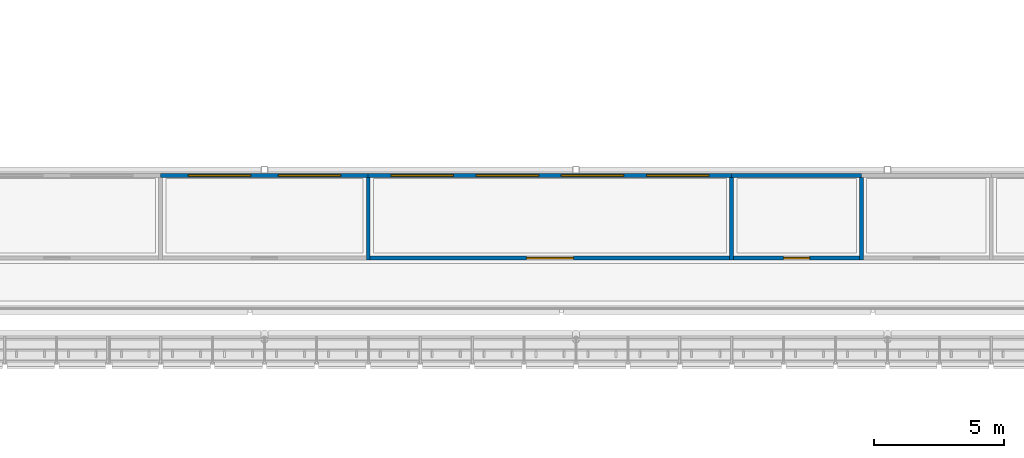
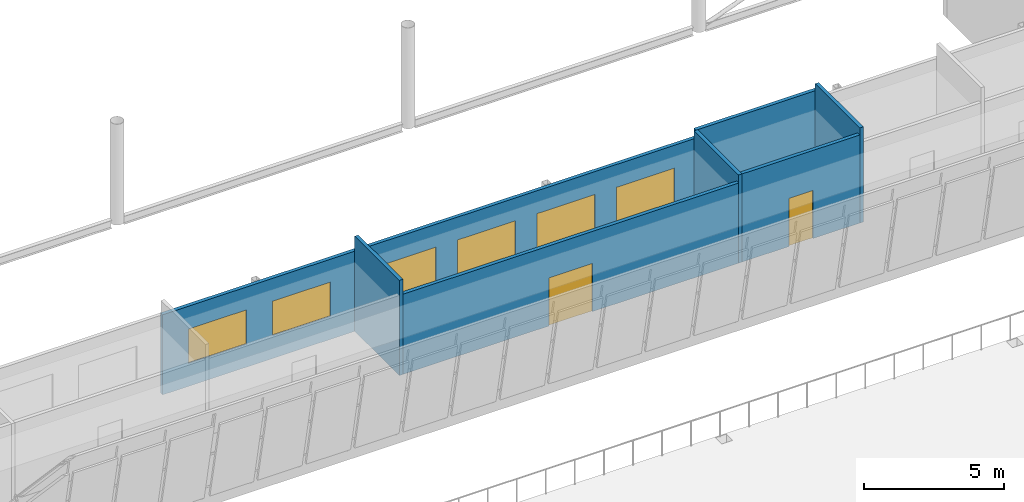
# One storey, part 50 of 95: 8 walls, 6 windows, 2 doors, 8 openings.
"""IFC4 building model written with IfcOpenShell, lengths in metres."""

from ifc_helpers import new_model, si_unit, direction, frame, frame_2d, origin, place, context, subcontext, project, spatial, rectangle, extrude, material, layer, layer_set, type_object, element, fill, save


model = new_model("IFC4")

# Units and contexts
model_context = context("Model", 3, precision=1e-05, world=origin(), true_north=direction((0.0, 1.0)))
body_context = subcontext(model_context, "Body", "Model", "MODEL_VIEW")
ifc_project = project(units=[si_unit("LENGTHUNIT", "METRE"), si_unit("AREAUNIT", "SQUARE_METRE"), si_unit("VOLUMEUNIT", "CUBIC_METRE"), si_unit("PLANEANGLEUNIT", "RADIAN"), si_unit("MASSUNIT", "GRAM", prefix="KILO")], contexts=[model_context])

# Site, building, storey
site_placement = place(None, origin())
site = spatial("IfcSite", under=ifc_project, at=site_placement, CompositionType="ELEMENT")
building_placement = place(site_placement, origin())
building = spatial("IfcBuilding", under=site, at=building_placement, Name="Windward Yard Aquatics Centre", CompositionType="ELEMENT")
storey_placement = place(building_placement, frame((0.0, 0.0, 9.39990234375)))
storey = spatial("IfcBuildingStorey", under=building, at=storey_placement, Name="L02", CompositionType="ELEMENT", Elevation=9.39990234375)

# Wall
ifc_material_1 = material(Name="Blockwork 150 mm", Category="masonry")
ifc_layer = layer(ifc_material_1, 0.14990234375)
ifc_layer_set = layer_set([ifc_layer], Name="H Partition Blockwork 150")
wall_type = type_object("IfcWallType", Name="H Partition Blockwork 150", PredefinedType="PARTITIONING", material=ifc_layer_set)
wall_1_placement = place(storey_placement, frame((112.0, 31.40966796875, 0.0), z_axis=(0.0, 0.0, 1.0), x_axis=(0.0, -1.0, 0.0)))
element("IfcWall", 1, at=wall_1_placement, inside=storey, type_object=wall_type, Name="L02 partition Scoreboard and Control Room", PredefinedType="PARTITIONING", context=body_context, shape_type="SweptSolid", body=[
    extrude(rectangle(XDim=3.1845703125, YDim=0.14990234375, at=frame_2d((1.59228515625, 0.0))), origin(), (0.0, 0.0, 1.0), 4.150146484375),
])

# Wall, openings, windows
wall_2_placement = place(storey_placement, frame((104.0, 31.484619140625, 0.0), z_axis=(0.0, 0.0, 1.0), x_axis=(1.0, 0.0, 0.0)))
wall_2 = element("IfcWall", 2, at=wall_2_placement, inside=storey, type_object=wall_type, Name="L02 wall Scoreboard and Control Room", PredefinedType="PARTITIONING", context=body_context, shape_type="SweptSolid", body=[
    extrude(rectangle(XDim=8.0, YDim=0.14990234375, at=frame_2d((4.0, 0.0))), origin(), (0.0, 0.0, 1.0), 3.49609375),
])
opening_1_placement = place(wall_2_placement, frame((1.066650390625, 0.0, 1.0)))
opening_1 = element("IfcOpeningElement", 3, at=opening_1_placement, cuts=wall_2, Name="Opening W2061", PredefinedType="OPENING", context=body_context, shape_type="SweptSolid", body=[
    extrude(rectangle(XDim=2.39990234375, YDim=1.5, at=frame_2d((1.199951171875, 0.75))), frame((0.0, 0.0849609375, 0.0), z_axis=(0.0, -1.0, 0.0), x_axis=(1.0, 0.0, 0.0)), (0.0, 0.0, 1.0), 0.169921875),
])
opening_2_placement = place(wall_2_placement, frame((4.533203125, 0.0, 1.0)))
opening_2 = element("IfcOpeningElement", 4, at=opening_2_placement, cuts=wall_2, Name="Opening W2062", PredefinedType="OPENING", context=body_context, shape_type="SweptSolid", body=[
    extrude(rectangle(XDim=2.39990234375, YDim=1.5, at=frame_2d((1.199951171875, 0.75))), frame((0.0, 0.0849609375, 0.0), z_axis=(0.0, -1.0, 0.0), x_axis=(1.0, 0.0, 0.0)), (0.0, 0.0, 1.0), 0.169921875),
])
ifc_material_2 = material(Name="Laminated glass in aluminium frame", Category="aluminium")
window_type = type_object("IfcWindowType", Name="H Gallery Window 2400 x 1500", PartitioningType="SINGLE_PANEL", PredefinedType="WINDOW", material=ifc_material_2)
window_1_placement = place(opening_1_placement, origin())
window_1 = element("IfcWindow", 5, at=window_1_placement, inside=storey, type_object=window_type, Name="L02 Scoreboard and Control Room viewing window", OverallHeight=1.5, OverallWidth=2.39990234375, PartitioningType="SINGLE_PANEL", PredefinedType="WINDOW", context=body_context, shape_type="SweptSolid", body=[
    extrude(rectangle(XDim=2.39990234375, YDim=1.5, at=frame_2d((1.199951171875, 0.75))), frame((0.0, 0.030029296875, 0.0), z_axis=(0.0, -1.0, 0.0), x_axis=(1.0, 0.0, 0.0)), (0.0, 0.0, 1.0), 0.06005859375),
])
fill(opening_1, window_1)
window_2_placement = place(opening_2_placement, origin())
window_2 = element("IfcWindow", 6, at=window_2_placement, inside=storey, type_object=window_type, Name="L02 Scoreboard and Control Room viewing window", OverallHeight=1.5, OverallWidth=2.39990234375, PartitioningType="SINGLE_PANEL", PredefinedType="WINDOW", context=body_context, shape_type="SweptSolid", body=[
    extrude(rectangle(XDim=2.39990234375, YDim=1.5, at=frame_2d((1.199951171875, 0.75))), frame((0.0, 0.030029296875, 0.0), z_axis=(0.0, -1.0, 0.0), x_axis=(1.0, 0.0, 0.0)), (0.0, 0.0, 1.0), 0.06005859375),
])
fill(opening_2, window_2)

# Wall, opening, door
wall_3_placement = place(storey_placement, frame((112.074951171875, 28.300048828125, 0.0), z_axis=(0.0, 0.0, 1.0), x_axis=(1.0, 0.0, 0.0)))
wall_3 = element("IfcWall", 7, at=wall_3_placement, inside=storey, type_object=wall_type, Name="L02 partition VIP Suite", PredefinedType="PARTITIONING", context=body_context, shape_type="SweptSolid", body=[
    extrude(rectangle(XDim=13.85009765625, YDim=0.14990234375, at=frame_2d((6.925048828125, 0.0))), origin(), (0.0, 0.0, 1.0), 3.49609375),
])
opening_3_placement = place(wall_3_placement, frame((6.02490234375, 0.0, 0.0)))
opening_3 = element("IfcOpeningElement", 8, at=opening_3_placement, cuts=wall_3, Name="Opening H2025", PredefinedType="OPENING", context=body_context, shape_type="SweptSolid", body=[
    extrude(rectangle(XDim=1.800048828125, YDim=2.10009765625, at=frame_2d((0.89990234375, 1.050048828125))), frame((0.0, 0.0849609375, 0.0), z_axis=(0.0, -1.0, 0.0), x_axis=(1.0, 0.0, 0.0)), (0.0, 0.0, 1.0), 0.169921875),
])
ifc_material_3 = material(Name="Steel and timber door leaf", Category="steel")
door_type_1 = type_object("IfcDoorType", Name="H Door Double 1800 x 2100 FD30S", OperationType="DOUBLE_DOOR_SINGLE_SWING", PredefinedType="DOOR", material=ifc_material_3)
door_1_placement = place(opening_3_placement, origin())
door_1 = element("IfcDoor", 9, at=door_1_placement, inside=storey, type_object=door_type_1, Name="L02 VIP Suite door", OperationType="DOUBLE_DOOR_SINGLE_SWING", OverallHeight=2.10009765625, OverallWidth=1.800048828125, PredefinedType="DOOR", context=body_context, shape_type="SweptSolid", body=[
    extrude(rectangle(XDim=1.800048828125, YDim=2.10009765625, at=frame_2d((0.89990234375, 1.050048828125))), frame((0.0, 0.02490234375, 0.0), z_axis=(0.0, -1.0, 0.0), x_axis=(1.0, 0.0, 0.0)), (0.0, 0.0, 1.0), 0.050048828125),
])
fill(opening_3, door_1)

# Wall
wall_4_placement = place(storey_placement, frame((126.0, 31.40966796875, 0.0), z_axis=(0.0, 0.0, 1.0), x_axis=(0.0, -1.0, 0.0)))
element("IfcWall", 10, at=wall_4_placement, inside=storey, type_object=wall_type, Name="L02 partition VIP Suite", PredefinedType="PARTITIONING", context=body_context, shape_type="SweptSolid", body=[
    extrude(rectangle(XDim=3.1845703125, YDim=0.14990234375, at=frame_2d((1.59228515625, 0.0))), origin(), (0.0, 0.0, 1.0), 3.843994140625),
])

# Wall, openings, windows
wall_5_placement = place(storey_placement, frame((112.0, 31.484619140625, 0.0), z_axis=(0.0, 0.0, 1.0), x_axis=(1.0, 0.0, 0.0)))
wall_5 = element("IfcWall", 11, at=wall_5_placement, inside=storey, type_object=wall_type, Name="L02 wall VIP Suite", PredefinedType="PARTITIONING", context=body_context, shape_type="SweptSolid", body=[
    extrude(rectangle(XDim=14.0, YDim=0.14990234375, at=frame_2d((7.0, 0.0))), origin(), (0.0, 0.0, 1.0), 3.49609375),
])
opening_4_placement = place(wall_5_placement, frame((0.8798828125, 0.0, 1.0)))
opening_4 = element("IfcOpeningElement", 12, at=opening_4_placement, cuts=wall_5, Name="Opening W2063", PredefinedType="OPENING", context=body_context, shape_type="SweptSolid", body=[
    extrude(rectangle(XDim=2.39990234375, YDim=1.5, at=frame_2d((1.199951171875, 0.75))), frame((0.0, 0.0849609375, 0.0), z_axis=(0.0, -1.0, 0.0), x_axis=(1.0, 0.0, 0.0)), (0.0, 0.0, 1.0), 0.169921875),
])
opening_5_placement = place(wall_5_placement, frame((4.159912109375, 0.0, 1.0)))
opening_5 = element("IfcOpeningElement", 13, at=opening_5_placement, cuts=wall_5, Name="Opening W2064", PredefinedType="OPENING", context=body_context, shape_type="SweptSolid", body=[
    extrude(rectangle(XDim=2.39990234375, YDim=1.5, at=frame_2d((1.199951171875, 0.75))), frame((0.0, 0.0849609375, 0.0), z_axis=(0.0, -1.0, 0.0), x_axis=(1.0, 0.0, 0.0)), (0.0, 0.0, 1.0), 0.169921875),
])
opening_6_placement = place(wall_5_placement, frame((7.43994140625, 0.0, 1.0)))
opening_6 = element("IfcOpeningElement", 14, at=opening_6_placement, cuts=wall_5, Name="Opening W2065", PredefinedType="OPENING", context=body_context, shape_type="SweptSolid", body=[
    extrude(rectangle(XDim=2.39990234375, YDim=1.5, at=frame_2d((1.199951171875, 0.75))), frame((0.0, 0.0849609375, 0.0), z_axis=(0.0, -1.0, 0.0), x_axis=(1.0, 0.0, 0.0)), (0.0, 0.0, 1.0), 0.169921875),
])
opening_7_placement = place(wall_5_placement, frame((10.719970703125, 0.0, 1.0)))
opening_7 = element("IfcOpeningElement", 15, at=opening_7_placement, cuts=wall_5, Name="Opening W2066", PredefinedType="OPENING", context=body_context, shape_type="SweptSolid", body=[
    extrude(rectangle(XDim=2.39990234375, YDim=1.5, at=frame_2d((1.199951171875, 0.75))), frame((0.0, 0.0849609375, 0.0), z_axis=(0.0, -1.0, 0.0), x_axis=(1.0, 0.0, 0.0)), (0.0, 0.0, 1.0), 0.169921875),
])
window_3_placement = place(opening_4_placement, origin())
window_3 = element("IfcWindow", 16, at=window_3_placement, inside=storey, type_object=window_type, Name="L02 VIP Suite viewing window", OverallHeight=1.5, OverallWidth=2.39990234375, PartitioningType="SINGLE_PANEL", PredefinedType="WINDOW", context=body_context, shape_type="SweptSolid", body=[
    extrude(rectangle(XDim=2.39990234375, YDim=1.5, at=frame_2d((1.199951171875, 0.75))), frame((0.0, 0.030029296875, 0.0), z_axis=(0.0, -1.0, 0.0), x_axis=(1.0, 0.0, 0.0)), (0.0, 0.0, 1.0), 0.06005859375),
])
fill(opening_4, window_3)
window_4_placement = place(opening_5_placement, origin())
window_4 = element("IfcWindow", 17, at=window_4_placement, inside=storey, type_object=window_type, Name="L02 VIP Suite viewing window", OverallHeight=1.5, OverallWidth=2.39990234375, PartitioningType="SINGLE_PANEL", PredefinedType="WINDOW", context=body_context, shape_type="SweptSolid", body=[
    extrude(rectangle(XDim=2.39990234375, YDim=1.5, at=frame_2d((1.199951171875, 0.75))), frame((0.0, 0.030029296875, 0.0), z_axis=(0.0, -1.0, 0.0), x_axis=(1.0, 0.0, 0.0)), (0.0, 0.0, 1.0), 0.06005859375),
])
fill(opening_5, window_4)
window_5_placement = place(opening_6_placement, origin())
window_5 = element("IfcWindow", 18, at=window_5_placement, inside=storey, type_object=window_type, Name="L02 VIP Suite viewing window", OverallHeight=1.5, OverallWidth=2.39990234375, PartitioningType="SINGLE_PANEL", PredefinedType="WINDOW", context=body_context, shape_type="SweptSolid", body=[
    extrude(rectangle(XDim=2.39990234375, YDim=1.5, at=frame_2d((1.199951171875, 0.75))), frame((0.0, 0.030029296875, 0.0), z_axis=(0.0, -1.0, 0.0), x_axis=(1.0, 0.0, 0.0)), (0.0, 0.0, 1.0), 0.06005859375),
])
fill(opening_6, window_5)
window_6_placement = place(opening_7_placement, origin())
window_6 = element("IfcWindow", 19, at=window_6_placement, inside=storey, type_object=window_type, Name="L02 VIP Suite viewing window", OverallHeight=1.5, OverallWidth=2.39990234375, PartitioningType="SINGLE_PANEL", PredefinedType="WINDOW", context=body_context, shape_type="SweptSolid", body=[
    extrude(rectangle(XDim=2.39990234375, YDim=1.5, at=frame_2d((1.199951171875, 0.75))), frame((0.0, 0.030029296875, 0.0), z_axis=(0.0, -1.0, 0.0), x_axis=(1.0, 0.0, 0.0)), (0.0, 0.0, 1.0), 0.06005859375),
])
fill(opening_7, window_6)

# Wall, opening, door
wall_6_placement = place(storey_placement, frame((126.074951171875, 28.300048828125, 0.0), z_axis=(0.0, 0.0, 1.0), x_axis=(1.0, 0.0, 0.0)))
wall_6 = element("IfcWall", 20, at=wall_6_placement, inside=storey, type_object=wall_type, Name="L02 partition Upper WC Men", PredefinedType="PARTITIONING", context=body_context, shape_type="SweptSolid", body=[
    extrude(rectangle(XDim=4.85009765625, YDim=0.14990234375, at=frame_2d((2.425048828125, 0.0))), origin(), (0.0, 0.0, 1.0), 3.843994140625),
])
opening_8_placement = place(wall_6_placement, frame((1.925048828125, 0.0, 0.0)))
opening_8 = element("IfcOpeningElement", 21, at=opening_8_placement, cuts=wall_6, Name="Opening H2026", PredefinedType="OPENING", context=body_context, shape_type="SweptSolid", body=[
    extrude(rectangle(XDim=1.0, YDim=2.10009765625, at=frame_2d((0.5, 1.050048828125))), frame((0.0, 0.0849609375, 0.0), z_axis=(0.0, -1.0, 0.0), x_axis=(1.0, 0.0, 0.0)), (0.0, 0.0, 1.0), 0.169921875),
])
door_type_2 = type_object("IfcDoorType", Name="H Door Single 1000 x 2100 FD30S", OperationType="NOTDEFINED", PredefinedType="DOOR", material=ifc_material_3)
door_2_placement = place(opening_8_placement, origin())
door_2 = element("IfcDoor", 22, at=door_2_placement, inside=storey, type_object=door_type_2, Name="L02 Upper WC Men door", OperationType="SINGLE_SWING_LEFT", OverallHeight=2.10009765625, OverallWidth=1.0, PredefinedType="DOOR", context=body_context, shape_type="SweptSolid", body=[
    extrude(rectangle(XDim=1.0, YDim=2.10009765625, at=frame_2d((0.5, 1.050048828125))), frame((0.0, 0.02490234375, 0.0), z_axis=(0.0, -1.0, 0.0), x_axis=(1.0, 0.0, 0.0)), (0.0, 0.0, 1.0), 0.050048828125),
])
fill(opening_8, door_2)

# Walls
wall_7_placement = place(storey_placement, frame((131.0, 31.40966796875, 0.0), z_axis=(0.0, 0.0, 1.0), x_axis=(0.0, -1.0, 0.0)))
element("IfcWall", 23, at=wall_7_placement, inside=storey, type_object=wall_type, Name="L02 partition Upper WC Men", PredefinedType="PARTITIONING", context=body_context, shape_type="SweptSolid", body=[
    extrude(rectangle(XDim=3.1845703125, YDim=0.14990234375, at=frame_2d((1.59228515625, 0.0))), origin(), (0.0, 0.0, 1.0), 4.150146484375),
])
wall_8_placement = place(storey_placement, frame((126.0, 31.484619140625, 0.0), z_axis=(0.0, 0.0, 1.0), x_axis=(1.0, 0.0, 0.0)))
element("IfcWall", 24, at=wall_8_placement, inside=storey, type_object=wall_type, Name="L02 wall Upper WC Men", PredefinedType="PARTITIONING", context=body_context, shape_type="SweptSolid", body=[
    extrude(rectangle(XDim=5.0, YDim=0.14990234375, at=frame_2d((2.5, 0.0))), origin(), (0.0, 0.0, 1.0), 3.843994140625),
])

save(model, "model.ifc")
